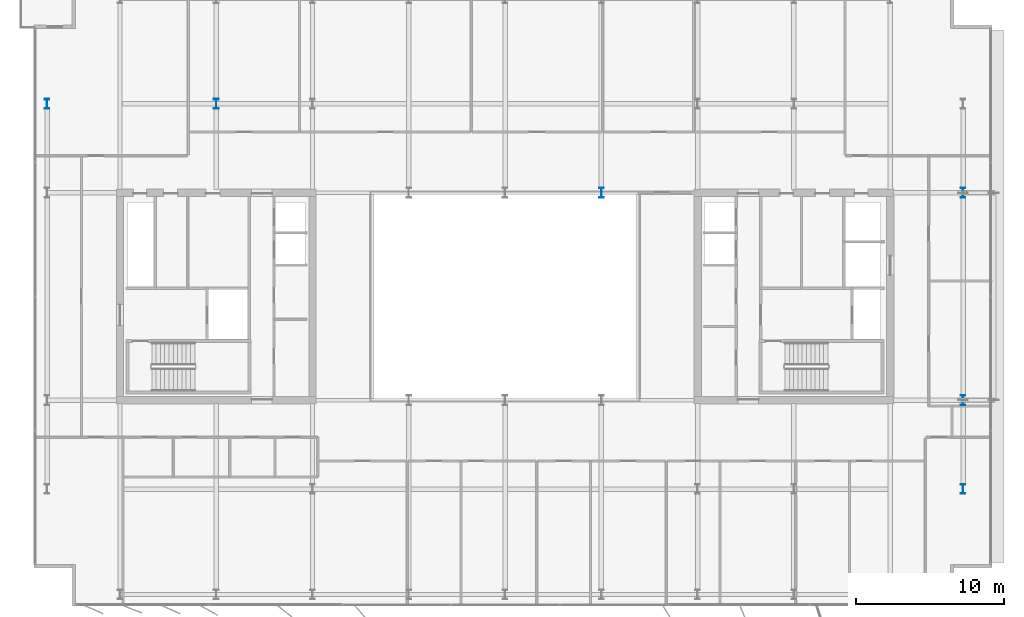
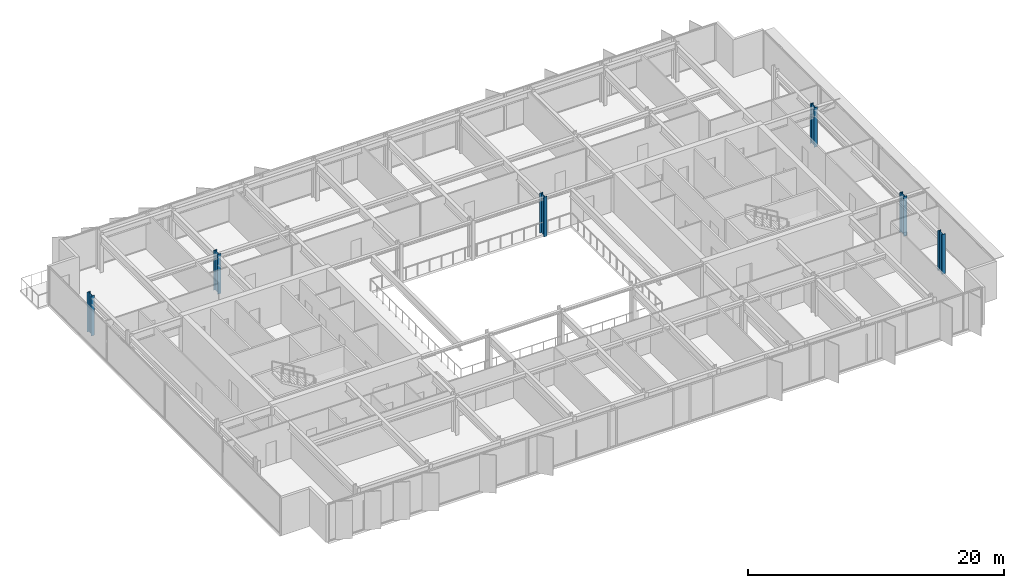
# One storey, part 2 of 20: 6 columns.
"""IFC4 building model written with IfcOpenShell, lengths in metres."""

from ifc_helpers import new_model, si_unit, direction, frame, origin, origin_2d, place, context, subcontext, project, spatial, i_section, extrude, material, material_profile, profile_set, type_object, element, save


model = new_model("IFC4")

# Units and contexts
model_context = context("Model", 3, precision=1e-05, world=origin(), true_north=direction((0.0, 1.0)))
body_context = subcontext(model_context, "Body", "Model", "MODEL_VIEW")
ifc_project = project(units=[si_unit("LENGTHUNIT", "METRE"), si_unit("AREAUNIT", "SQUARE_METRE"), si_unit("VOLUMEUNIT", "CUBIC_METRE"), si_unit("PLANEANGLEUNIT", "RADIAN"), si_unit("MASSUNIT", "GRAM", prefix="KILO")], contexts=[model_context])

# Site, building, storey
site_placement = place(None, origin())
site = spatial("IfcSite", under=ifc_project, at=site_placement, CompositionType="ELEMENT")
building_placement = place(site_placement, origin())
building = spatial("IfcBuilding", under=site, at=building_placement, Name="Putna Gate Headquarters", CompositionType="ELEMENT")
storey_placement = place(building_placement, frame((0.0, 0.0, 274.60009765625)))
storey = spatial("IfcBuildingStorey", under=building, at=storey_placement, Name="L69", CompositionType="ELEMENT", Elevation=274.60009765625)

# Columns
ifc_material = material(Name="Steel S460M", Category="steel")
ifc_material_profile_1 = material_profile(ifc_material, i_section(OverallWidth=0.304931640625, OverallDepth=0.66796875, WebThickness=0.02099609375, FlangeThickness=0.0400390625, at=origin_2d()), Name="Steel S460M")
ifc_profile_set_1 = profile_set([ifc_material_profile_1], Name="Steel S460M")
column_type_1 = type_object("IfcColumnType", Name="COL-STL-HEM650-EXT", PredefinedType="COLUMN", material=ifc_profile_set_1)
for number, where, z_axis, x_axis, name in (
    (1, (69.919921875, 13.0, 0.0), (0.0, 0.0, 1.0), (1.0, 0.0, 0.0), "L69 Column CP-E13"),
    (2, (69.919921875, 19.0, 0.0), (0.0, 0.0, 1.0), (1.0, 0.0, 0.0), "L69 Column CP-E19"),
    (3, (69.919921875, 33.0, 0.0), (0.0, 0.0, 1.0), (1.0, 0.0, 0.0), "L69 Column CP-E33"),
    (4, (8.080078125, 39.0, 0.0), (0.0, 0.0, 1.0), (1.0, 0.0, 0.0), "L69 Column CP-W39"),
):
    element("IfcColumn", number, at=place(storey_placement, frame(where, z_axis=z_axis, x_axis=x_axis)), inside=storey, type_object=column_type_1, Name=name, PredefinedType="COLUMN", context=body_context, shape_type="SweptSolid", body=[
        extrude(i_section(OverallWidth=0.304931640625, OverallDepth=0.66796875, WebThickness=0.02099609375, FlangeThickness=0.0400390625, at=origin_2d()), origin(), (0.0, 0.0, 1.0), 3.7998046875),
    ])
ifc_material_profile_2 = material_profile(ifc_material, i_section(OverallWidth=0.304931640625, OverallDepth=0.66796875, WebThickness=0.02099609375, FlangeThickness=0.0400390625, at=origin_2d()), Name="Steel S460M")
ifc_profile_set_2 = profile_set([ifc_material_profile_2], Name="Steel S460M")
column_type_2 = type_object("IfcColumnType", Name="COL-STL-HEM650-INT", PredefinedType="COLUMN", material=ifc_profile_set_2)
for number, where, z_axis, x_axis, name in (
    (5, (19.5, 39.0, 0.0), (0.0, 0.0, 1.0), (1.0, 0.0, 0.0), "L69 Column CSI-WN"),
    (6, (45.5, 33.0, 0.0), (0.0, 0.0, 1.0), (1.0, 0.0, 0.0), "L69 Column CAI-N45"),
):
    element("IfcColumn", number, at=place(storey_placement, frame(where, z_axis=z_axis, x_axis=x_axis)), inside=storey, type_object=column_type_2, Name=name, PredefinedType="COLUMN", context=body_context, shape_type="SweptSolid", body=[
        extrude(i_section(OverallWidth=0.304931640625, OverallDepth=0.66796875, WebThickness=0.02099609375, FlangeThickness=0.0400390625, at=origin_2d()), origin(), (0.0, 0.0, 1.0), 3.7998046875),
    ])

save(model, "model.ifc")
